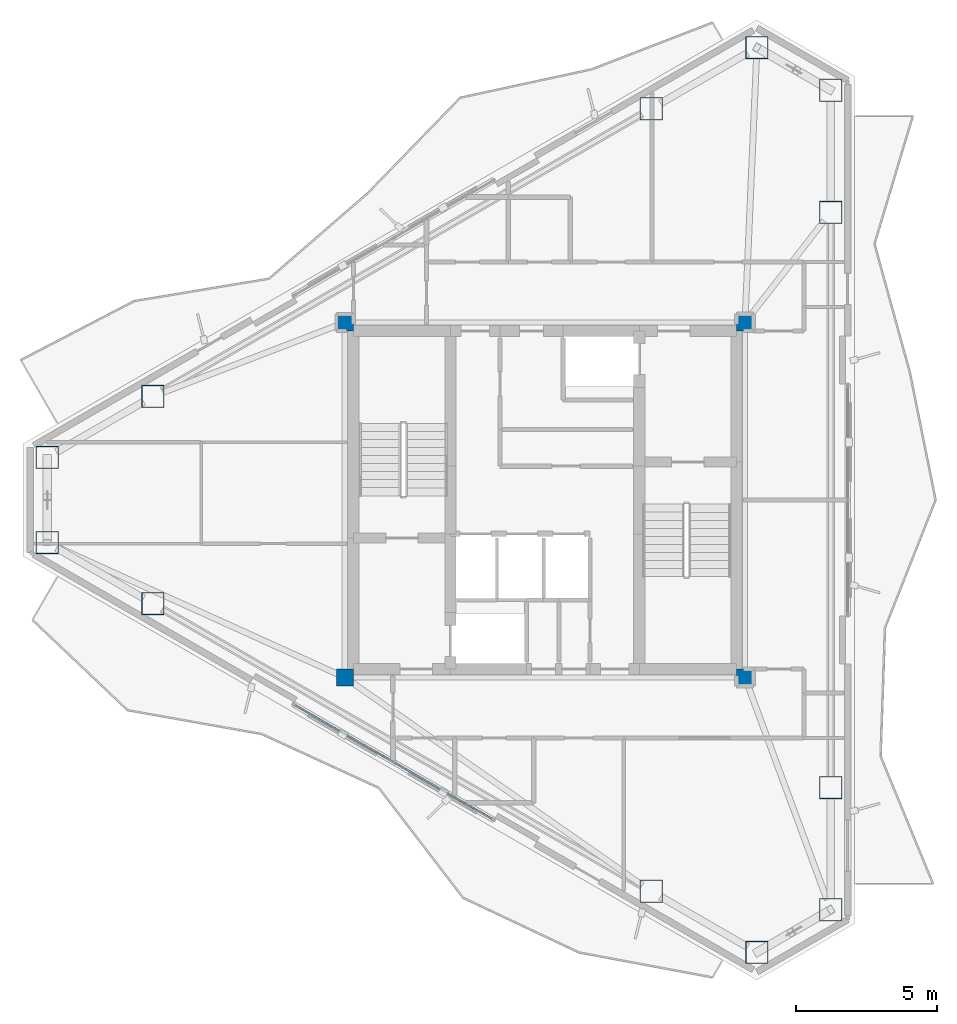
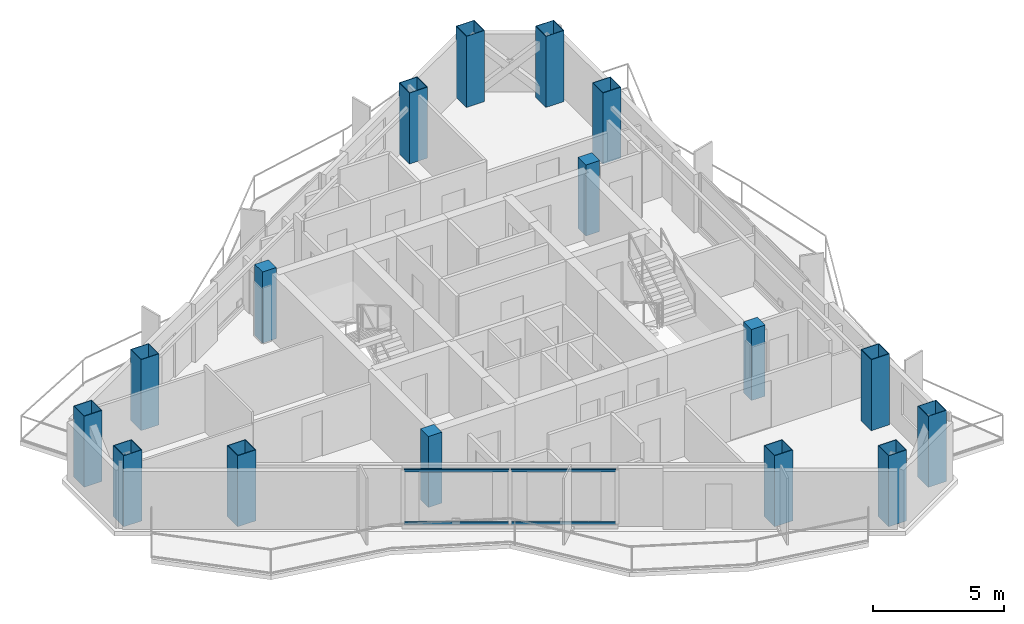
# One storey, part 1 of 18: 16 columns, 4 members, 1 element without a shape of its own.
"""IFC4 building model written with IfcOpenShell, lengths in metres."""

from ifc_helpers import new_model, si_unit, direction, frame, origin, origin_2d, place, context, subcontext, project, spatial, rectangle, hollow_rectangle, extrude, material, layer, layer_set, material_profile, profile_set, type_object, element, aggregate, save


model = new_model("IFC4")

# Units and contexts
model_context = context("Model", 3, precision=1e-05, world=origin(), true_north=direction((0.0, 1.0)))
body_context = subcontext(model_context, "Body", "Model", "MODEL_VIEW")
ifc_project = project(units=[si_unit("LENGTHUNIT", "METRE"), si_unit("AREAUNIT", "SQUARE_METRE"), si_unit("VOLUMEUNIT", "CUBIC_METRE"), si_unit("PLANEANGLEUNIT", "RADIAN"), si_unit("MASSUNIT", "GRAM", prefix="KILO")], contexts=[model_context])

# Site, building, storey
site_placement = place(None, origin())
site = spatial("IfcSite", under=ifc_project, at=site_placement, CompositionType="ELEMENT")
building_placement = place(site_placement, origin())
building = spatial("IfcBuilding", under=site, at=building_placement, Name="Mersakhor Tower and Convention Hall", CompositionType="ELEMENT")
storey_placement = place(building_placement, frame((0.0, 0.0, 233.10009765625)))
storey = spatial("IfcBuildingStorey", under=building, at=storey_placement, Name="L65", CompositionType="ELEMENT", Elevation=233.10009765625)

# Columns
ifc_material_1 = material(Name="Concrete C50/60 in S460M steel box", Category="concrete")
ifc_material_profile_1 = material_profile(ifc_material_1, hollow_rectangle(XDim=0.800048828125, YDim=0.800048828125, WallThickness=0.02490234375, at=origin_2d()), Name="SHS 800x800x25")
ifc_profile_set_1 = profile_set([ifc_material_profile_1], Name="Concrete C50/60 in S460M steel box")
column_type_1 = type_object("IfcColumnType", Name="COL-CFT-800", PredefinedType="COLUMN", material=ifc_profile_set_1)
for number, where, z_axis, x_axis, name in (
    (1, (11.33203125, 28.26123046875, 0.0), (0.0, 0.0, 1.0), (1.0, 0.0, 0.0), "L65 Perimeter Mega-Column MC-01"),
    (2, (15.085693359375, 30.428466796875, 0.0), (0.0, 0.0, 1.0), (1.0, 0.0, 0.0), "L65 Perimeter Mega-Column MC-02"),
    (3, (32.771484375, 40.639404296875, 0.0), (0.0, 0.0, 1.0), (1.0, 0.0, 0.0), "L65 Perimeter Mega-Column MC-03"),
    (4, (36.525146484375, 42.806640625, 0.0), (0.0, 0.0, 1.0), (1.0, 0.0, 0.0), "L65 Perimeter Mega-Column MC-04"),
    (5, (39.142822265625, 41.29541015625, 0.0), (0.0, 0.0, 1.0), (1.0, 0.0, 0.0), "L65 Perimeter Mega-Column MC-05"),
    (6, (39.142822265625, 36.960693359375, 0.0), (0.0, 0.0, 1.0), (1.0, 0.0, 0.0), "L65 Perimeter Mega-Column MC-06"),
    (7, (39.142822265625, 16.539306640625, 0.0), (0.0, 0.0, 1.0), (1.0, 0.0, 0.0), "L65 Perimeter Mega-Column MC-07"),
    (8, (39.142822265625, 12.20458984375, 0.0), (0.0, 0.0, 1.0), (1.0, 0.0, 0.0), "L65 Perimeter Mega-Column MC-08"),
    (9, (36.525146484375, 10.693359375, 0.0), (0.0, 0.0, 1.0), (1.0, 0.0, 0.0), "L65 Perimeter Mega-Column MC-09"),
    (10, (32.771484375, 12.860595703125, 0.0), (0.0, 0.0, 1.0), (1.0, 0.0, 0.0), "L65 Perimeter Mega-Column MC-10"),
    (11, (15.085693359375, 23.071533203125, 0.0), (0.0, 0.0, 1.0), (1.0, 0.0, 0.0), "L65 Perimeter Mega-Column MC-11"),
    (12, (11.33203125, 25.23876953125, 0.0), (0.0, 0.0, 1.0), (1.0, 0.0, 0.0), "L65 Perimeter Mega-Column MC-12"),
):
    element("IfcColumn", number, at=place(storey_placement, frame(where, z_axis=z_axis, x_axis=x_axis)), inside=storey, type_object=column_type_1, Name=name, PredefinedType="COLUMN", context=body_context, shape_type="SweptSolid", body=[
        extrude(hollow_rectangle(XDim=0.800048828125, YDim=0.800048828125, WallThickness=0.02490234375, at=origin_2d()), origin(), (0.0, 0.0, 1.0), 3.2998046875),
    ])
ifc_material_2 = material(Name="Concrete C50/60", Category="concrete")
ifc_material_profile_2 = material_profile(ifc_material_2, rectangle(XDim=0.60009765625, YDim=0.60009765625, at=origin_2d()), Name="RC 600x600")
ifc_profile_set_2 = profile_set([ifc_material_profile_2], Name="Concrete C50/60")
column_type_2 = type_object("IfcColumnType", Name="COL-RC-600", PredefinedType="COLUMN", material=ifc_profile_set_2)
for number, where, z_axis, x_axis, name in (
    (13, (21.89990234375, 20.449951171875, 0.0), (0.0, 0.0, 1.0), (1.0, 0.0, 0.0), "L65 Core Corner Column CC-1"),
    (14, (21.89990234375, 33.050048828125, 0.0), (0.0, 0.0, 1.0), (1.0, 0.0, 0.0), "L65 Core Corner Column CC-2"),
    (15, (36.10009765625, 33.050048828125, 0.0), (0.0, 0.0, 1.0), (1.0, 0.0, 0.0), "L65 Core Corner Column CC-3"),
    (16, (36.10009765625, 20.449951171875, 0.0), (0.0, 0.0, 1.0), (1.0, 0.0, 0.0), "L65 Core Corner Column CC-4"),
):
    element("IfcColumn", number, at=place(storey_placement, frame(where, z_axis=z_axis, x_axis=x_axis)), inside=storey, type_object=column_type_2, Name=name, PredefinedType="COLUMN", context=body_context, shape_type="SweptSolid", body=[
        extrude(rectangle(XDim=0.60009765625, YDim=0.60009765625, at=origin_2d()), origin(), (0.0, 0.0, 1.0), 3.2998046875),
    ])

# Curtain wall, members
ifc_material_3 = material(Name="Dark solar low-E aluminium curtain wall", Category="aluminium")
ifc_layer = layer(ifc_material_3, 0.179931640625)
ifc_layer_set = layer_set([ifc_layer], Name="Dark solar low-E aluminium curtain wall")
curtain_wall_type = type_object("IfcCurtainWallType", Name="CW-SYS-03", PredefinedType="USERDEFINED", material=ifc_layer_set)
curtain_wall_placement = place(storey_placement, origin())
curtain_wall = element("IfcCurtainWall", 17, at=curtain_wall_placement, inside=storey, type_object=curtain_wall_type, Name="L65 Dark-Glass Curtain Wall F3-B2", ObjectType="CURTAIN WALL", PredefinedType="USERDEFINED")
ifc_material_4 = material(Name="Anodised aluminium EN AW-6063 T6", Category="aluminium")
ifc_material_profile_3 = material_profile(ifc_material_4, hollow_rectangle(XDim=0.06005859375, YDim=0.1201171875, WallThickness=0.0048828125, at=origin_2d()), Name="RHS 120x60x5")
ifc_profile_set_3 = profile_set([ifc_material_profile_3], Name="Anodised aluminium EN AW-6063 T6")
member_type = type_object("IfcMemberType", Name="CWT-120x60", PredefinedType="USERDEFINED", material=ifc_profile_set_3)
member_1_placement = place(storey_placement, frame((27.12646484375, 15.427001953125, 0.22998046875), z_axis=(-0.866023018642, 0.500004131166, 0.0), x_axis=(-0.500004131166, -0.866023018642, 0.0)))
member_1 = element("IfcMember", 18, at=member_1_placement, type_object=member_type, Name="CW-03 transom 1.1", ObjectType="TRANSOM", PredefinedType="USERDEFINED", context=body_context, shape_type="SweptSolid", body=[
    extrude(hollow_rectangle(XDim=0.06005859375, YDim=0.1201171875, WallThickness=0.0048828125, at=origin_2d()), origin(), (0.0, 0.0, 1.0), 4.00146484375),
])
member_2_placement = place(storey_placement, frame((27.12646484375, 15.427001953125, 2.669921875), z_axis=(-0.866023018642, 0.500004131166, 0.0), x_axis=(-0.500004131166, -0.866023018642, 0.0)))
member_2 = element("IfcMember", 19, at=member_2_placement, type_object=member_type, Name="CW-03 transom 1.2", ObjectType="TRANSOM", PredefinedType="USERDEFINED", context=body_context, shape_type="SweptSolid", body=[
    extrude(hollow_rectangle(XDim=0.06005859375, YDim=0.1201171875, WallThickness=0.0048828125, at=origin_2d()), origin(), (0.0, 0.0, 1.0), 4.00146484375),
])
member_3_placement = place(storey_placement, frame((23.59619140625, 17.465087890625, 0.22998046875), z_axis=(-0.866023018642, 0.500004131166, 0.0), x_axis=(-0.500004131166, -0.866023018642, 0.0)))
member_3 = element("IfcMember", 20, at=member_3_placement, type_object=member_type, Name="CW-03 transom 2.1", ObjectType="TRANSOM", PredefinedType="USERDEFINED", context=body_context, shape_type="SweptSolid", body=[
    extrude(hollow_rectangle(XDim=0.06005859375, YDim=0.1201171875, WallThickness=0.0048828125, at=origin_2d()), origin(), (0.0, 0.0, 1.0), 4.00146484375),
])
member_4_placement = place(storey_placement, frame((23.59619140625, 17.465087890625, 2.669921875), z_axis=(-0.866023018642, 0.500004131166, 0.0), x_axis=(-0.500004131166, -0.866023018642, 0.0)))
member_4 = element("IfcMember", 21, at=member_4_placement, type_object=member_type, Name="CW-03 transom 2.2", ObjectType="TRANSOM", PredefinedType="USERDEFINED", context=body_context, shape_type="SweptSolid", body=[
    extrude(hollow_rectangle(XDim=0.06005859375, YDim=0.1201171875, WallThickness=0.0048828125, at=origin_2d()), origin(), (0.0, 0.0, 1.0), 4.00146484375),
])
aggregate(curtain_wall, [member_1, member_2, member_3, member_4])

save(model, "model.ifc")
